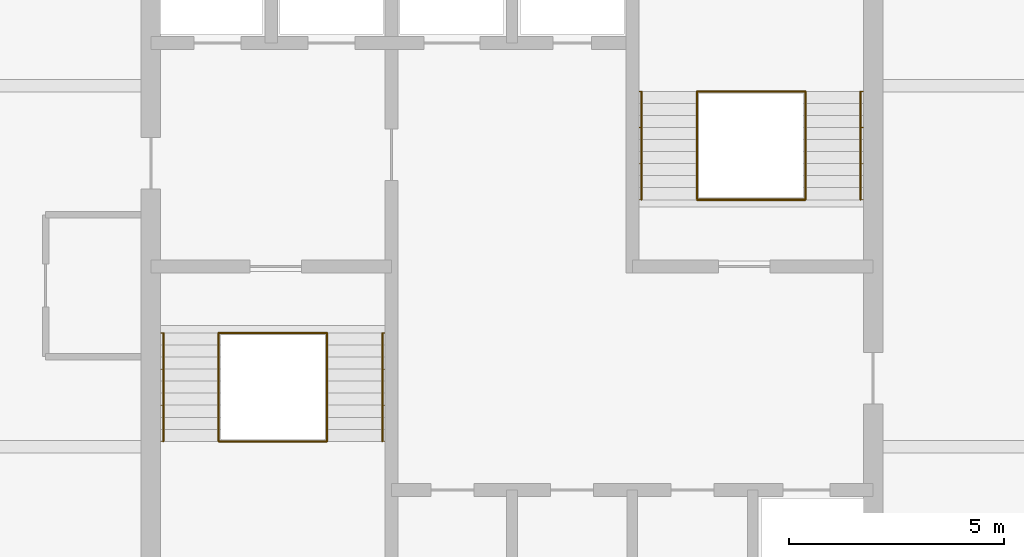
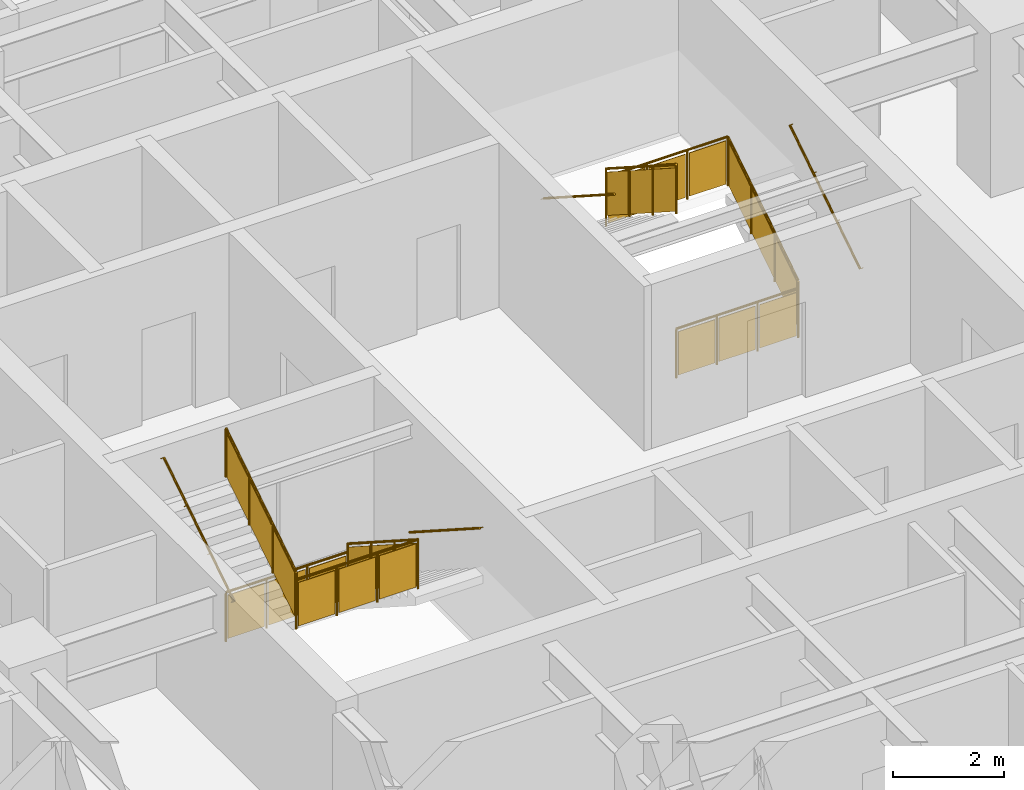
# One storey, part 10 of 10: 12 railings.
"""IFC4 building model written with IfcOpenShell, lengths in metres."""

from ifc_helpers import new_model, si_unit, direction, frame, origin, origin_2d, place, context, subcontext, project, spatial, polyline, circle, outline, extrude, material, type_object, element, save


model = new_model("IFC4")

# Units and contexts
model_context = context("Model", 3, precision=1e-05, world=origin(), true_north=direction((0.0, 1.0)))
body_context = subcontext(model_context, "Body", "Model", "MODEL_VIEW")
ifc_project = project(units=[si_unit("LENGTHUNIT", "METRE"), si_unit("AREAUNIT", "SQUARE_METRE"), si_unit("VOLUMEUNIT", "CUBIC_METRE"), si_unit("PLANEANGLEUNIT", "RADIAN"), si_unit("MASSUNIT", "GRAM", prefix="KILO")], contexts=[model_context])

# Site, building, storey
site_placement = place(None, origin())
site = spatial("IfcSite", under=ifc_project, at=site_placement, CompositionType="ELEMENT")
building_placement = place(site_placement, origin())
building = spatial("IfcBuilding", under=site, at=building_placement, Name="Torre Alcanfor", CompositionType="ELEMENT")
storey_placement = place(building_placement, frame((0.0, 0.0, 297.300048828125)))
storey = spatial("IfcBuildingStorey", under=building, at=storey_placement, Name="L78", CompositionType="ELEMENT", Elevation=297.300048828125)

# Railings
ifc_material_1 = material(Name="Steel ASTM A500 Grade C hollow sections", Category="steel")
railing_type_1 = type_object("IfcRailingType", Name="Stair guard and handrail 1100", PredefinedType="GUARDRAIL", material=ifc_material_1)
railing_1_placement = place(storey_placement, frame((25.10009765625, 27.85009765625, 0.179931640625)))
element("IfcRailing", 1, at=railing_1_placement, inside=storey, type_object=railing_type_1, Name="Stair guard S1 L78 flight 1", PredefinedType="GUARDRAIL", context=body_context, shape_type="SweptSolid", body=[
    extrude(circle(Radius=0.02392578125, at=origin_2d()), frame((0.0, 0.0, 1.076171875), z_axis=(0.0, -0.841162588446, 0.540782303519), x_axis=(1.0, 0.0, 0.0)), (0.0, 0.0, 1.0), 2.995849609375),
    extrude(circle(Radius=0.02099609375, at=origin_2d()), origin(), (0.0, 0.0, 1.0), 1.052001953125),
    extrude(circle(Radius=0.02099609375, at=origin_2d()), frame((0.0, -0.840087890625, 0.5400390625)), (0.0, 0.0, 1.0), 1.052001953125),
    extrude(circle(Radius=0.02099609375, at=origin_2d()), frame((0.0, -1.679931640625, 1.080078125)), (0.0, 0.0, 1.0), 1.052001953125),
    extrude(circle(Radius=0.02099609375, at=origin_2d()), frame((0.0, -2.52001953125, 1.6201171875)), (0.0, 0.0, 1.0), 1.052001953125),
    extrude(outline(polyline([(0.041015625, 0.076416015625), (0.799072265625, 0.563720703125), (0.799072265625, 1.515625), (0.041015625, 1.0283203125), (0.041015625, 0.076416015625)])), frame((0.005859375, 0.0, 0.0), z_axis=(-1.0, 0.0, 0.0), x_axis=(0.0, -1.0, 0.0)), (0.0, 0.0, 1.0), 0.011962890625),
    extrude(outline(polyline([(0.881103515625, 0.616455078125), (1.638916015625, 1.103759765625), (1.638916015625, 2.0556640625), (0.881103515625, 1.568359375), (0.881103515625, 0.616455078125)])), frame((0.005859375, 0.0, 0.0), z_axis=(-1.0, 0.0, 0.0), x_axis=(0.0, -1.0, 0.0)), (0.0, 0.0, 1.0), 0.011962890625),
    extrude(outline(polyline([(1.720947265625, 1.156494140625), (2.47900390625, 1.643798828125), (2.47900390625, 2.595703125), (1.720947265625, 2.1083984375), (1.720947265625, 1.156494140625)])), frame((0.005859375, 0.0, 0.0), z_axis=(-1.0, 0.0, 0.0), x_axis=(0.0, -1.0, 0.0)), (0.0, 0.0, 1.0), 0.011962890625),
])
railing_2_placement = place(storey_placement, frame((22.574951171875, 25.330078125, 1.97998046875)))
element("IfcRailing", 2, at=railing_2_placement, inside=storey, type_object=railing_type_1, Name="Stair guard S1 L78 flight 2", PredefinedType="GUARDRAIL", context=body_context, shape_type="SweptSolid", body=[
    extrude(circle(Radius=0.02392578125, at=origin_2d()), frame((0.0, 0.0, 1.076171875), z_axis=(0.0, 0.841199657755, 0.540724639528), x_axis=(-1.0, 0.0, 0.0)), (0.0, 0.0, 1.0), 2.995849609375),
    extrude(circle(Radius=0.02099609375, at=origin_2d()), origin(), (0.0, 0.0, 1.0), 1.052001953125),
    extrude(circle(Radius=0.02099609375, at=origin_2d()), frame((0.0, 0.840087890625, 0.5400390625)), (0.0, 0.0, 1.0), 1.052001953125),
    extrude(circle(Radius=0.02099609375, at=origin_2d()), frame((0.0, 1.679931640625, 1.079833984375)), (0.0, 0.0, 1.0), 1.052001953125),
    extrude(circle(Radius=0.02099609375, at=origin_2d()), frame((0.0, 2.52001953125, 1.619873046875)), (0.0, 0.0, 1.0), 1.052001953125),
    extrude(outline(polyline([(0.041015625, 0.076416015625), (0.799072265625, 0.563720703125), (0.799072265625, 1.515625), (0.041015625, 1.0283203125), (0.041015625, 0.076416015625)])), frame((-0.005859375, 0.0, 0.0), z_axis=(1.0, 0.0, 0.0), x_axis=(0.0, 1.0, 0.0)), (0.0, 0.0, 1.0), 0.011962890625),
    extrude(outline(polyline([(0.881103515625, 0.6162109375), (1.638916015625, 1.103515625), (1.638916015625, 2.0556640625), (0.881103515625, 1.568359375), (0.881103515625, 0.6162109375)])), frame((-0.005859375, 0.0, 0.0), z_axis=(1.0, 0.0, 0.0), x_axis=(0.0, 1.0, 0.0)), (0.0, 0.0, 1.0), 0.011962890625),
    extrude(outline(polyline([(1.720947265625, 1.15625), (2.47900390625, 1.6435546875), (2.47900390625, 2.595458984375), (1.720947265625, 2.108154296875), (1.720947265625, 1.15625)])), frame((-0.005859375, 0.0, 0.0), z_axis=(1.0, 0.0, 0.0), x_axis=(0.0, 1.0, 0.0)), (0.0, 0.0, 1.0), 0.011962890625),
])
for number, where, name in (
    (3, (22.574951171875, 27.85009765625, 0.0), "Stair well guard S1 L78 floor landing"),
    (4, (22.574951171875, 25.330078125, 1.800048828125), "Stair well guard S1 L78 half landing"),
):
    element("IfcRailing", number, at=place(storey_placement, frame(where)), inside=storey, type_object=railing_type_1, Name=name, PredefinedType="GUARDRAIL", context=body_context, shape_type="SweptSolid", body=[
        extrude(circle(Radius=0.02392578125, at=origin_2d()), frame((0.0, 0.0, 1.076171875), z_axis=(1.0, 0.0, 0.0), x_axis=(0.0, 1.0, 0.0)), (0.0, 0.0, 1.0), 2.525146484375),
        extrude(circle(Radius=0.02099609375, at=origin_2d()), origin(), (0.0, 0.0, 1.0), 1.052001953125),
        extrude(circle(Radius=0.02099609375, at=origin_2d()), frame((0.841796875, 0.0, 0.0)), (0.0, 0.0, 1.0), 1.052001953125),
        extrude(circle(Radius=0.02099609375, at=origin_2d()), frame((1.683349609375, 0.0, 0.0)), (0.0, 0.0, 1.0), 1.052001953125),
        extrude(circle(Radius=0.02099609375, at=origin_2d()), frame((2.525146484375, 0.0, 0.0)), (0.0, 0.0, 1.0), 1.052001953125),
        extrude(outline(polyline([(0.041015625, 0.050048828125), (0.80078125, 0.050048828125), (0.80078125, 1.001953125), (0.041015625, 1.001953125), (0.041015625, 0.050048828125)])), frame((0.0, 0.005859375, 0.0), z_axis=(0.0, -1.0, 0.0), x_axis=(1.0, 0.0, 0.0)), (0.0, 0.0, 1.0), 0.011962890625),
        extrude(outline(polyline([(0.8828125, 0.050048828125), (1.642333984375, 0.050048828125), (1.642333984375, 1.001953125), (0.8828125, 1.001953125), (0.8828125, 0.050048828125)])), frame((0.0, 0.005859375, 0.0), z_axis=(0.0, -1.0, 0.0), x_axis=(1.0, 0.0, 0.0)), (0.0, 0.0, 1.0), 0.011962890625),
        extrude(outline(polyline([(1.724365234375, 0.050048828125), (2.484130859375, 0.050048828125), (2.484130859375, 1.001953125), (1.724365234375, 1.001953125), (1.724365234375, 0.050048828125)])), frame((0.0, 0.005859375, 0.0), z_axis=(0.0, -1.0, 0.0), x_axis=(1.0, 0.0, 0.0)), (0.0, 0.0, 1.0), 0.011962890625),
    ])
railing_3_placement = place(storey_placement, frame((36.22509765625, 30.949951171875, 0.179931640625)))
element("IfcRailing", 5, at=railing_3_placement, inside=storey, type_object=railing_type_1, Name="Stair guard S2 L78 flight 1", PredefinedType="GUARDRAIL", context=body_context, shape_type="SweptSolid", body=[
    extrude(circle(Radius=0.02392578125, at=origin_2d()), frame((0.0, 0.0, 1.076171875), z_axis=(0.0, 0.841162588446, 0.540782303519), x_axis=(-1.0, 0.0, 0.0)), (0.0, 0.0, 1.0), 2.995849609375),
    extrude(circle(Radius=0.02099609375, at=origin_2d()), origin(), (0.0, 0.0, 1.0), 1.052001953125),
    extrude(circle(Radius=0.02099609375, at=origin_2d()), frame((0.0, 0.840087890625, 0.5400390625)), (0.0, 0.0, 1.0), 1.052001953125),
    extrude(circle(Radius=0.02099609375, at=origin_2d()), frame((0.0, 1.679931640625, 1.080078125)), (0.0, 0.0, 1.0), 1.052001953125),
    extrude(circle(Radius=0.02099609375, at=origin_2d()), frame((0.0, 2.52001953125, 1.6201171875)), (0.0, 0.0, 1.0), 1.052001953125),
    extrude(outline(polyline([(0.041015625, 0.076416015625), (0.799072265625, 0.563720703125), (0.799072265625, 1.515625), (0.041015625, 1.0283203125), (0.041015625, 0.076416015625)])), frame((-0.005859375, 0.0, 0.0), z_axis=(1.0, 0.0, 0.0), x_axis=(0.0, 1.0, 0.0)), (0.0, 0.0, 1.0), 0.011962890625),
    extrude(outline(polyline([(0.881103515625, 0.616455078125), (1.638916015625, 1.103759765625), (1.638916015625, 2.0556640625), (0.881103515625, 1.568359375), (0.881103515625, 0.616455078125)])), frame((-0.005859375, 0.0, 0.0), z_axis=(1.0, 0.0, 0.0), x_axis=(0.0, 1.0, 0.0)), (0.0, 0.0, 1.0), 0.011962890625),
    extrude(outline(polyline([(1.720947265625, 1.156494140625), (2.47900390625, 1.643798828125), (2.47900390625, 2.595703125), (1.720947265625, 2.1083984375), (1.720947265625, 1.156494140625)])), frame((-0.005859375, 0.0, 0.0), z_axis=(1.0, 0.0, 0.0), x_axis=(0.0, 1.0, 0.0)), (0.0, 0.0, 1.0), 0.011962890625),
])
railing_4_placement = place(storey_placement, frame((33.699951171875, 33.469970703125, 1.97998046875)))
element("IfcRailing", 6, at=railing_4_placement, inside=storey, type_object=railing_type_1, Name="Stair guard S2 L78 flight 2", PredefinedType="GUARDRAIL", context=body_context, shape_type="SweptSolid", body=[
    extrude(circle(Radius=0.02392578125, at=origin_2d()), frame((0.0, 0.0, 1.076171875), z_axis=(0.0, -0.841199657755, 0.540724639528), x_axis=(1.0, 0.0, 0.0)), (0.0, 0.0, 1.0), 2.995849609375),
    extrude(circle(Radius=0.02099609375, at=origin_2d()), origin(), (0.0, 0.0, 1.0), 1.052001953125),
    extrude(circle(Radius=0.02099609375, at=origin_2d()), frame((0.0, -0.840087890625, 0.5400390625)), (0.0, 0.0, 1.0), 1.052001953125),
    extrude(circle(Radius=0.02099609375, at=origin_2d()), frame((0.0, -1.679931640625, 1.079833984375)), (0.0, 0.0, 1.0), 1.052001953125),
    extrude(circle(Radius=0.02099609375, at=origin_2d()), frame((0.0, -2.52001953125, 1.619873046875)), (0.0, 0.0, 1.0), 1.052001953125),
    extrude(outline(polyline([(0.041015625, 0.076416015625), (0.799072265625, 0.563720703125), (0.799072265625, 1.515625), (0.041015625, 1.0283203125), (0.041015625, 0.076416015625)])), frame((0.005859375, 0.0, 0.0), z_axis=(-1.0, 0.0, 0.0), x_axis=(0.0, -1.0, 0.0)), (0.0, 0.0, 1.0), 0.011962890625),
    extrude(outline(polyline([(0.881103515625, 0.6162109375), (1.638916015625, 1.103515625), (1.638916015625, 2.0556640625), (0.881103515625, 1.568359375), (0.881103515625, 0.6162109375)])), frame((0.005859375, 0.0, 0.0), z_axis=(-1.0, 0.0, 0.0), x_axis=(0.0, -1.0, 0.0)), (0.0, 0.0, 1.0), 0.011962890625),
    extrude(outline(polyline([(1.720947265625, 1.15625), (2.47900390625, 1.6435546875), (2.47900390625, 2.595458984375), (1.720947265625, 2.108154296875), (1.720947265625, 1.15625)])), frame((0.005859375, 0.0, 0.0), z_axis=(-1.0, 0.0, 0.0), x_axis=(0.0, -1.0, 0.0)), (0.0, 0.0, 1.0), 0.011962890625),
])
for number, where, name in (
    (7, (33.699951171875, 30.949951171875, 0.0), "Stair well guard S2 L78 floor landing"),
    (8, (33.699951171875, 33.469970703125, 1.800048828125), "Stair well guard S2 L78 half landing"),
):
    element("IfcRailing", number, at=place(storey_placement, frame(where)), inside=storey, type_object=railing_type_1, Name=name, PredefinedType="GUARDRAIL", context=body_context, shape_type="SweptSolid", body=[
        extrude(circle(Radius=0.02392578125, at=origin_2d()), frame((0.0, 0.0, 1.076171875), z_axis=(1.0, 0.0, 0.0), x_axis=(0.0, 1.0, 0.0)), (0.0, 0.0, 1.0), 2.525146484375),
        extrude(circle(Radius=0.02099609375, at=origin_2d()), origin(), (0.0, 0.0, 1.0), 1.052001953125),
        extrude(circle(Radius=0.02099609375, at=origin_2d()), frame((0.841796875, 0.0, 0.0)), (0.0, 0.0, 1.0), 1.052001953125),
        extrude(circle(Radius=0.02099609375, at=origin_2d()), frame((1.683349609375, 0.0, 0.0)), (0.0, 0.0, 1.0), 1.052001953125),
        extrude(circle(Radius=0.02099609375, at=origin_2d()), frame((2.525146484375, 0.0, 0.0)), (0.0, 0.0, 1.0), 1.052001953125),
        extrude(outline(polyline([(0.041015625, 0.050048828125), (0.80078125, 0.050048828125), (0.80078125, 1.001953125), (0.041015625, 1.001953125), (0.041015625, 0.050048828125)])), frame((0.0, 0.005859375, 0.0), z_axis=(0.0, -1.0, 0.0), x_axis=(1.0, 0.0, 0.0)), (0.0, 0.0, 1.0), 0.011962890625),
        extrude(outline(polyline([(0.8828125, 0.050048828125), (1.642333984375, 0.050048828125), (1.642333984375, 1.001953125), (0.8828125, 1.001953125), (0.8828125, 0.050048828125)])), frame((0.0, 0.005859375, 0.0), z_axis=(0.0, -1.0, 0.0), x_axis=(1.0, 0.0, 0.0)), (0.0, 0.0, 1.0), 0.011962890625),
        extrude(outline(polyline([(1.724365234375, 0.050048828125), (2.484130859375, 0.050048828125), (2.484130859375, 1.001953125), (1.724365234375, 1.001953125), (1.724365234375, 0.050048828125)])), frame((0.0, 0.005859375, 0.0), z_axis=(0.0, -1.0, 0.0), x_axis=(1.0, 0.0, 0.0)), (0.0, 0.0, 1.0), 0.011962890625),
    ])
ifc_material_2 = material(Name="Steel ASTM A500 Grade C hollow sections", Category="steel")
railing_type_2 = type_object("IfcRailingType", Name="Stair wall handrail 900", PredefinedType="HANDRAIL", material=ifc_material_2)
railing_5_placement = place(storey_placement, frame((26.385009765625, 27.85009765625, 0.179931640625)))
element("IfcRailing", 9, at=railing_5_placement, inside=storey, type_object=railing_type_2, Name="Stair handrail S1 L78 flight 1", PredefinedType="HANDRAIL", context=body_context, shape_type="SweptSolid", body=[
    extrude(circle(Radius=0.02392578125, at=origin_2d()), frame((0.0, 0.0, 0.8759765625), z_axis=(0.0, -0.841162588446, 0.540782303519), x_axis=(1.0, 0.0, 0.0)), (0.0, 0.0, 1.0), 2.995849609375),
    extrude(circle(Radius=0.008056640625, at=origin_2d()), frame((0.0, 0.0, 0.8759765625), z_axis=(1.0, 0.0, 0.0), x_axis=(0.0, 0.0, 1.0)), (0.0, 0.0, 1.0), 0.06494140625),
    extrude(circle(Radius=0.008056640625, at=origin_2d()), frame((0.0, -0.840087890625, 1.416015625), z_axis=(1.0, 0.0, 0.0), x_axis=(0.0, 0.0, 1.0)), (0.0, 0.0, 1.0), 0.06494140625),
    extrude(circle(Radius=0.008056640625, at=origin_2d()), frame((0.0, -1.679931640625, 1.9560546875), z_axis=(1.0, 0.0, 0.0), x_axis=(0.0, 0.0, 1.0)), (0.0, 0.0, 1.0), 0.06494140625),
    extrude(circle(Radius=0.008056640625, at=origin_2d()), frame((0.0, -2.52001953125, 2.49609375), z_axis=(1.0, 0.0, 0.0), x_axis=(0.0, 0.0, 1.0)), (0.0, 0.0, 1.0), 0.06494140625),
])
railing_6_placement = place(storey_placement, frame((21.2900390625, 25.330078125, 1.97998046875)))
element("IfcRailing", 10, at=railing_6_placement, inside=storey, type_object=railing_type_2, Name="Stair handrail S1 L78 flight 2", PredefinedType="HANDRAIL", context=body_context, shape_type="SweptSolid", body=[
    extrude(circle(Radius=0.02392578125, at=origin_2d()), frame((0.0, 0.0, 0.8759765625), z_axis=(0.0, 0.841199657755, 0.540724639528), x_axis=(-1.0, 0.0, 0.0)), (0.0, 0.0, 1.0), 2.995849609375),
    extrude(circle(Radius=0.008056640625, at=origin_2d()), frame((0.0, 0.0, 0.8759765625), z_axis=(-1.0, 0.0, 0.0), x_axis=(0.0, 0.0, 1.0)), (0.0, 0.0, 1.0), 0.06494140625),
    extrude(circle(Radius=0.008056640625, at=origin_2d()), frame((0.0, 0.840087890625, 1.415771484375), z_axis=(-1.0, 0.0, 0.0), x_axis=(0.0, 0.0, 1.0)), (0.0, 0.0, 1.0), 0.06494140625),
    extrude(circle(Radius=0.008056640625, at=origin_2d()), frame((0.0, 1.679931640625, 1.955810546875), z_axis=(-1.0, 0.0, 0.0), x_axis=(0.0, 0.0, 1.0)), (0.0, 0.0, 1.0), 0.06494140625),
    extrude(circle(Radius=0.008056640625, at=origin_2d()), frame((0.0, 2.52001953125, 2.49560546875), z_axis=(-1.0, 0.0, 0.0), x_axis=(0.0, 0.0, 1.0)), (0.0, 0.0, 1.0), 0.06494140625),
])
railing_7_placement = place(storey_placement, frame((37.510009765625, 30.949951171875, 0.179931640625)))
element("IfcRailing", 11, at=railing_7_placement, inside=storey, type_object=railing_type_2, Name="Stair handrail S2 L78 flight 1", PredefinedType="HANDRAIL", context=body_context, shape_type="SweptSolid", body=[
    extrude(circle(Radius=0.02392578125, at=origin_2d()), frame((0.0, 0.0, 0.8759765625), z_axis=(0.0, 0.841162588446, 0.540782303519), x_axis=(-1.0, 0.0, 0.0)), (0.0, 0.0, 1.0), 2.995849609375),
    extrude(circle(Radius=0.008056640625, at=origin_2d()), frame((0.0, 0.0, 0.8759765625), z_axis=(1.0, 0.0, 0.0), x_axis=(0.0, 0.0, 1.0)), (0.0, 0.0, 1.0), 0.06494140625),
    extrude(circle(Radius=0.008056640625, at=origin_2d()), frame((0.0, 0.840087890625, 1.416015625), z_axis=(1.0, 0.0, 0.0), x_axis=(0.0, 0.0, 1.0)), (0.0, 0.0, 1.0), 0.06494140625),
    extrude(circle(Radius=0.008056640625, at=origin_2d()), frame((0.0, 1.679931640625, 1.9560546875), z_axis=(1.0, 0.0, 0.0), x_axis=(0.0, 0.0, 1.0)), (0.0, 0.0, 1.0), 0.06494140625),
    extrude(circle(Radius=0.008056640625, at=origin_2d()), frame((0.0, 2.52001953125, 2.49609375), z_axis=(1.0, 0.0, 0.0), x_axis=(0.0, 0.0, 1.0)), (0.0, 0.0, 1.0), 0.06494140625),
])
railing_8_placement = place(storey_placement, frame((32.4150390625, 33.469970703125, 1.97998046875)))
element("IfcRailing", 12, at=railing_8_placement, inside=storey, type_object=railing_type_2, Name="Stair handrail S2 L78 flight 2", PredefinedType="HANDRAIL", context=body_context, shape_type="SweptSolid", body=[
    extrude(circle(Radius=0.02392578125, at=origin_2d()), frame((0.0, 0.0, 0.8759765625), z_axis=(0.0, -0.841199657755, 0.540724639528), x_axis=(1.0, 0.0, 0.0)), (0.0, 0.0, 1.0), 2.995849609375),
    extrude(circle(Radius=0.008056640625, at=origin_2d()), frame((0.0, 0.0, 0.8759765625), z_axis=(-1.0, 0.0, 0.0), x_axis=(0.0, 0.0, 1.0)), (0.0, 0.0, 1.0), 0.06494140625),
    extrude(circle(Radius=0.008056640625, at=origin_2d()), frame((0.0, -0.840087890625, 1.415771484375), z_axis=(-1.0, 0.0, 0.0), x_axis=(0.0, 0.0, 1.0)), (0.0, 0.0, 1.0), 0.06494140625),
    extrude(circle(Radius=0.008056640625, at=origin_2d()), frame((0.0, -1.679931640625, 1.955810546875), z_axis=(-1.0, 0.0, 0.0), x_axis=(0.0, 0.0, 1.0)), (0.0, 0.0, 1.0), 0.06494140625),
    extrude(circle(Radius=0.008056640625, at=origin_2d()), frame((0.0, -2.52001953125, 2.49560546875), z_axis=(-1.0, 0.0, 0.0), x_axis=(0.0, 0.0, 1.0)), (0.0, 0.0, 1.0), 0.06494140625),
])

save(model, "model.ifc")
